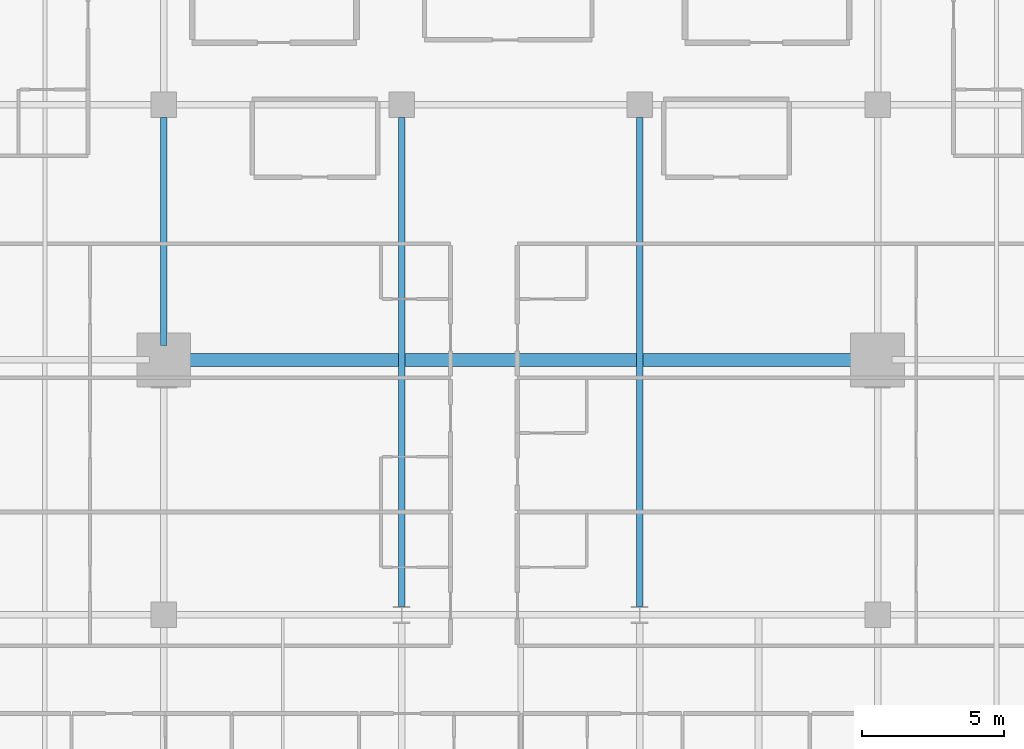
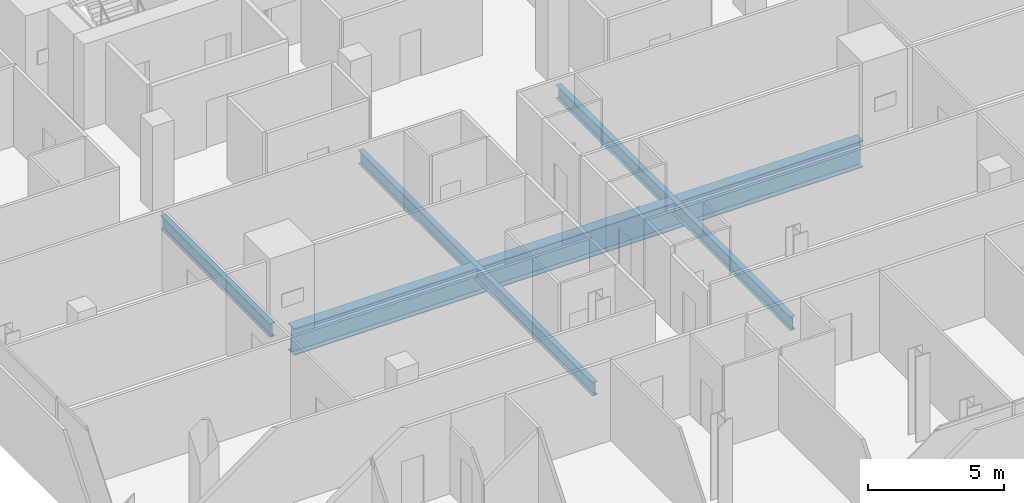
# One storey, part 11 of 33: 4 beams.
"""IFC4 building model written with IfcOpenShell, lengths in metres."""

from ifc_helpers import new_model, si_unit, direction, frame, origin, origin_2d, place, context, subcontext, project, spatial, i_section, extrude, material, material_profile, profile_set, type_object, element, save


model = new_model("IFC4")

# Units and contexts
model_context = context("Model", 3, precision=1e-05, world=origin(), true_north=direction((0.0, 1.0)))
body_context = subcontext(model_context, "Body", "Model", "MODEL_VIEW")
ifc_project = project(units=[si_unit("LENGTHUNIT", "METRE"), si_unit("AREAUNIT", "SQUARE_METRE"), si_unit("VOLUMEUNIT", "CUBIC_METRE"), si_unit("PLANEANGLEUNIT", "RADIAN"), si_unit("MASSUNIT", "GRAM", prefix="KILO")], contexts=[model_context])

# Site, building, storey
site_placement = place(None, origin())
site = spatial("IfcSite", under=ifc_project, at=site_placement, CompositionType="ELEMENT")
building_placement = place(site_placement, origin())
building = spatial("IfcBuilding", under=site, at=building_placement, Name="Maruvema Waterfront Hotel and Observation Tower", CompositionType="ELEMENT")
storey_placement = place(building_placement, frame((0.0, 0.0, 138.949951171875)))
storey = spatial("IfcBuildingStorey", under=building, at=storey_placement, Name="L33", CompositionType="ELEMENT", Elevation=138.949951171875)

# Beams
ifc_material_1 = material(Name="Steel ASTM A572 Grade 50", Category="steel")
ifc_material_profile_1 = material_profile(ifc_material_1, i_section(OverallWidth=0.22900390625, OverallDepth=0.612060546875, WebThickness=0.011962890625, FlangeThickness=0.01953125, FilletRadius=0.01806640625, at=origin_2d()), Name="W610x125.0")
ifc_profile_set_1 = profile_set([ifc_material_profile_1], Name="Steel ASTM A572 Grade 50")
beam_type_1 = type_object("IfcBeamType", Name="Primary Floor Girder W610x125.0", PredefinedType="BEAM", material=ifc_profile_set_1)
beam_1_placement = place(storey_placement, frame((25.199951171875, 27.5, -0.5458984375), z_axis=(0.0, 1.0, 0.0), x_axis=(-1.0, 0.0, 0.0)))
element("IfcBeam", 1, at=beam_1_placement, inside=storey, type_object=beam_type_1, Name="L33 Floor Girder NS-12", PredefinedType="BEAM", context=body_context, shape_type="SweptSolid", body=[
    extrude(i_section(OverallWidth=0.22900390625, OverallDepth=0.612060546875, WebThickness=0.011962890625, FlangeThickness=0.01953125, FilletRadius=0.01806640625, at=origin_2d()), origin(), (0.0, 0.0, 1.0), 8.050048828125),
])
for number, where, z_axis, x_axis, name in (
    (2, (33.60009765625, 18.300048828125, -0.5458984375), (0.0, 1.0, 0.0), (-1.0, 0.0, 0.0), "L33 Floor Girder NS-16"),
    (3, (42.0, 18.300048828125, -0.5458984375), (0.0, 1.0, 0.0), (-1.0, 0.0, 0.0), "L33 Floor Girder NS-19"),
):
    element("IfcBeam", number, at=place(storey_placement, frame(where, z_axis=z_axis, x_axis=x_axis)), inside=storey, type_object=beam_type_1, Name=name, PredefinedType="BEAM", context=body_context, shape_type="SweptSolid", body=[
        extrude(i_section(OverallWidth=0.22900390625, OverallDepth=0.612060546875, WebThickness=0.011962890625, FlangeThickness=0.01953125, FilletRadius=0.01806640625, at=origin_2d()), origin(), (0.0, 0.0, 1.0), 17.25),
    ])
ifc_material_2 = material(Name="Steel ABNT NBR 7007 AR 415 (ASTM A572 Grade 50)", Category="steel")
ifc_material_profile_2 = material_profile(ifc_material_2, i_section(OverallWidth=0.449951171875, OverallDepth=1.199951171875, WebThickness=0.01904296875, FlangeThickness=0.031982421875, at=origin_2d()), Name="VS1200x366")
ifc_profile_set_2 = profile_set([ifc_material_profile_2], Name="Steel ABNT NBR 7007 AR 415 (ASTM A572 Grade 50)")
beam_type_2 = type_object("IfcBeamType", Name="Upper Setback Transfer Girder VS1200x366", PredefinedType="USERDEFINED", material=ifc_profile_set_2)
beam_2_placement = place(storey_placement, frame((25.699951171875, 27.0, -0.83984375), z_axis=(1.0, 0.0, 0.0), x_axis=(0.0, 1.0, 0.0)))
element("IfcBeam", 4, at=beam_2_placement, inside=storey, type_object=beam_type_2, Name="L33 Floor Girder EW-20", ObjectType="TRANSFER GIRDER", PredefinedType="USERDEFINED", context=body_context, shape_type="SweptSolid", body=[
    extrude(i_section(OverallWidth=0.449951171875, OverallDepth=1.199951171875, WebThickness=0.01904296875, FlangeThickness=0.031982421875, at=origin_2d()), origin(), (0.0, 0.0, 1.0), 24.199951171875),
])

save(model, "model.ifc")
